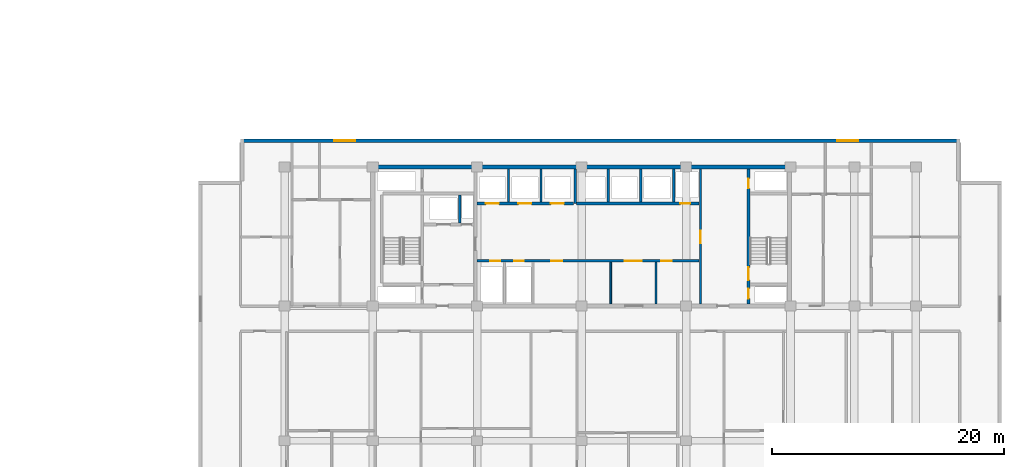
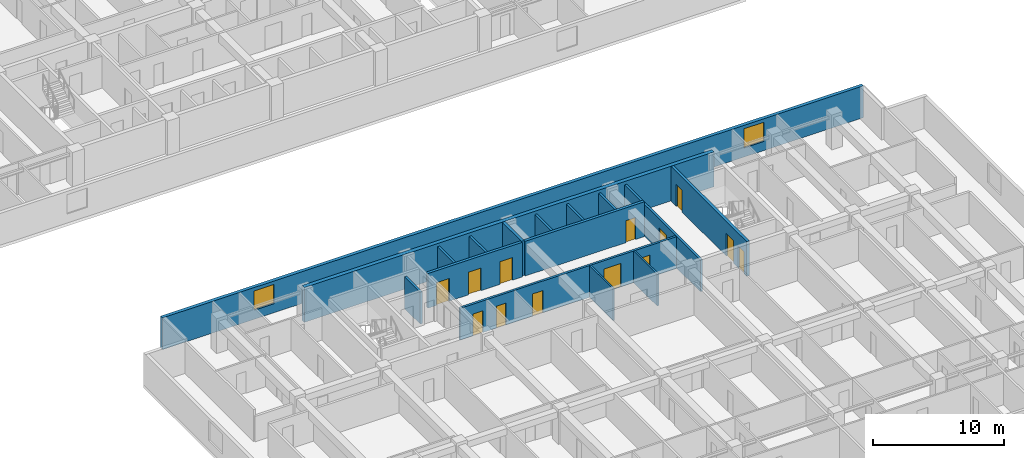
# One storey, part 7 of 24: 16 walls, 13 doors, 2 windows, 15 openings.
"""IFC4 building model written with IfcOpenShell, lengths in metres."""

import ifcopenshell
import ifcopenshell.guid

model = None  # the IFC model being written
_history = None  # IfcOwnerHistory: only IFC2X3 demands one
_inside = {}  # id of a spatial element -> (the spatial element, [elements in it])
_under = {}  # id of a project, library or spatial element -> (it, [spatial elements below it])
_declared = {}  # id of a project -> (the project, [libraries it declares])
_typed = {}  # id of a type object -> (the type object, [elements of that type])
_made_of = {}  # id of a material, layer set ... -> (it, [elements and type objects made of it])


def new_model(schema):
    """Start an empty IFC model of exactly this schema.

    Asked for "IFC4X3", IfcOpenShell would pick the latest addendum, in which some entities
    have other attributes; the version numbers below select the first issue.
    IFC2X3 requires an IfcOwnerHistory on every rooted entity: one is made here for all.
    """
    global model, _history
    if schema == "IFC4X3":
        model = ifcopenshell.file(schema_version=(4, 3, 0, 0))
    else:
        model = ifcopenshell.file(schema=schema)
    _inside.clear()
    _under.clear()
    _declared.clear()
    _typed.clear()
    _made_of.clear()
    _history = None
    if model.schema == "IFC2X3":
        org = make("IfcOrganization", Name="unknown")
        user = make(
            "IfcPersonAndOrganization",
            ThePerson=make("IfcPerson", FamilyName="unknown"),
            TheOrganization=org,
        )
        app = make(
            "IfcApplication",
            ApplicationDeveloper=org,
            Version="unknown",
            ApplicationFullName="unknown",
            ApplicationIdentifier="unknown",
        )
        _history = make(
            "IfcOwnerHistory",
            OwningUser=user,
            OwningApplication=app,
            ChangeAction="ADDED",
            CreationDate=0,
        )
    return model


def make(cls, **values):
    """One entity of the class cls with the attributes given. An attribute that is None is left unset."""
    return model.create_entity(
        cls, **{name: value for name, value in values.items() if value is not None}
    )


def rooted(cls, **values):
    """An entity with a GlobalId (a new one), such as an element, a storey or a relation."""
    return make(cls, GlobalId=ifcopenshell.guid.new(), OwnerHistory=_history, **values)


def si_unit(unit_type, name, prefix=None):
    """IfcSIUnit, for example si_unit("LENGTHUNIT", "METRE", prefix="MILLI")."""
    return make("IfcSIUnit", UnitType=unit_type, Prefix=prefix, Name=name)


def assignment(units):
    """IfcUnitAssignment: the units of a project."""
    return None if units is None else make("IfcUnitAssignment", Units=units)


def point(xyz):
    """IfcCartesianPoint."""
    return None if xyz is None else make("IfcCartesianPoint", Coordinates=xyz)


def direction(xyz):
    """IfcDirection."""
    return None if xyz is None else make("IfcDirection", DirectionRatios=xyz)


def frame(location, z_axis=None, x_axis=None):
    """IfcAxis2Placement3D, a coordinate frame: its origin and axes. An axis left out is left unset."""
    return make(
        "IfcAxis2Placement3D",
        Location=point(location),
        Axis=direction(z_axis),
        RefDirection=direction(x_axis),
    )


def frame_2d(location, x_axis=None):
    """IfcAxis2Placement2D, a coordinate frame in the plane: its origin and x axis."""
    return make(
        "IfcAxis2Placement2D", Location=point(location), RefDirection=direction(x_axis)
    )


def origin():
    """The frame at (0, 0, 0) with its axes left unset."""
    return frame((0.0, 0.0, 0.0))


def place(relative_to, where):
    """IfcLocalPlacement: puts the frame where relative to a parent placement (None: the world)."""
    return make(
        "IfcLocalPlacement", PlacementRelTo=relative_to, RelativePlacement=where
    )


def context(
    kind, dimensions, precision=None, world=None, true_north=None, identifier=None
):
    """IfcGeometricRepresentationContext, for example the 3D "Model" context."""
    return make(
        "IfcGeometricRepresentationContext",
        ContextIdentifier=identifier,
        ContextType=kind,
        CoordinateSpaceDimension=dimensions,
        Precision=precision,
        WorldCoordinateSystem=world,
        TrueNorth=true_north,
    )


def subcontext(parent, identifier, kind, view, scale=None):
    """IfcGeometricRepresentationSubContext, for example "Body" below "Model"."""
    return make(
        "IfcGeometricRepresentationSubContext",
        ContextIdentifier=identifier,
        ContextType=kind,
        ParentContext=parent,
        TargetScale=scale,
        TargetView=view,
    )


def project(units=None, contexts=None):
    """IfcProject with its units and contexts."""
    return rooted(
        "IfcProject",
        Name="project",
        RepresentationContexts=contexts,
        UnitsInContext=assignment(units),
    )


def spatial(cls, under=None, at=None, **own):
    """A site, building, storey or space (cls), placed at a placement, below another one or the project."""
    s = rooted(cls, ObjectPlacement=at, **own)
    if under is not None:
        _under.setdefault(under.id(), (under, []))[1].append(s)
    return s


def profile(cls, at=None, kind="AREA", **sizes):
    """A parametric profile (cls). Its sizes go by their IFC names, for example OverallWidth=200.0."""
    return make(cls, ProfileType=kind, Position=at, **sizes)


def rectangle(**sizes):
    """IfcRectangleProfileDef."""
    return profile("IfcRectangleProfileDef", **sizes)


def extrude(swept, where, along, depth):
    """IfcExtrudedAreaSolid: the profile swept, set in the frame where, extruded along a direction by depth."""
    return make(
        "IfcExtrudedAreaSolid",
        SweptArea=swept,
        Position=where,
        ExtrudedDirection=direction(along),
        Depth=depth,
    )


def shape(context_of_items, identifier, shape_type, items):
    """IfcShapeRepresentation: the items that make up one representation, for example the "Body"."""
    return make(
        "IfcShapeRepresentation",
        ContextOfItems=context_of_items,
        RepresentationIdentifier=identifier,
        RepresentationType=shape_type,
        Items=items,
    )


def material(Name=None, Category=None):
    """IfcMaterial."""
    return make("IfcMaterial", Name=Name, Category=Category)


def layer(
    of_material, thickness, ventilated=None, Name=None, Category=None, Priority=None
):
    """IfcMaterialLayer: one layer of a wall or slab, of a material (None: an air gap)."""
    return make(
        "IfcMaterialLayer",
        Material=of_material,
        LayerThickness=thickness,
        IsVentilated=ventilated,
        Name=Name,
        Category=Category,
        Priority=Priority,
    )


def layer_set(layers, Name=None):
    """IfcMaterialLayerSet."""
    return make("IfcMaterialLayerSet", MaterialLayers=layers, LayerSetName=Name)


def made_of(thing, what):
    """Note that an element or type object is made of a material, layer set ...; save() writes the relation."""
    if what is not None:
        _made_of.setdefault(what.id(), (what, []))[1].append(thing)
    return thing


def type_object(cls, material=None, **own):
    """A type object (cls), such as IfcWallType, which elements share."""
    return made_of(rooted(cls, **own), material)


def element(
    cls,
    number,
    at=None,
    inside=None,
    cuts=None,
    type_object=None,
    material=None,
    context=None,
    identifier="Body",
    shape_type=None,
    held_by="IfcProductDefinitionShape",
    body=None,
    shapes=None,
    **own,
):
    """One element of the class cls, such as IfcWall. Its Tag is "e" and its number.

    at: its placement. inside: the storey or other place that contains it. cuts: it is an
    opening in that element (IfcRelVoidsElement). A single representation is given by context,
    identifier, shape_type and body (its items); several are given by shapes. held_by: the class
    of the entity that holds the representations. save() writes the other relations.
    """
    e = rooted(cls, Tag="e%d" % number, ObjectPlacement=at, **own)
    if body is not None:
        shapes = [shape(context, identifier, shape_type, body)]
    if shapes is not None:
        e.Representation = make(held_by, Representations=shapes)
    if inside is not None:
        _inside.setdefault(inside.id(), (inside, []))[1].append(e)
    if cuts is not None:
        rooted(
            "IfcRelVoidsElement", RelatingBuildingElement=cuts, RelatedOpeningElement=e
        )
    if type_object is not None:
        _typed.setdefault(type_object.id(), (type_object, []))[1].append(e)
    return made_of(e, material)


def fill(opening, filler):
    """IfcRelFillsElement: the door or window that sits in an opening."""
    return rooted(
        "IfcRelFillsElement",
        RelatingOpeningElement=opening,
        RelatedBuildingElement=filler,
    )


def aggregate(whole, parts):
    """IfcRelAggregates: a whole, such as a stair, and the parts it consists of."""
    return rooted("IfcRelAggregates", RelatingObject=whole, RelatedObjects=parts)


def save(model, path):
    """Write the relations noted so far, then the file.

    IfcRelAggregates (storeys below a building ...), IfcRelContainedInSpatialStructure (elements
    in a storey), IfcRelDefinesByType, IfcRelAssociatesMaterial and IfcRelDeclares: one each for
    every whole, place, type object, material and project.
    """
    for whole, parts in _under.values():
        aggregate(whole, parts)
    for where, things in _inside.values():
        rooted(
            "IfcRelContainedInSpatialStructure",
            RelatedElements=things,
            RelatingStructure=where,
        )
    for kind, things in _typed.values():
        rooted("IfcRelDefinesByType", RelatedObjects=things, RelatingType=kind)
    for what, things in _made_of.values():
        rooted("IfcRelAssociatesMaterial", RelatedObjects=things, RelatingMaterial=what)
    for by, libraries in _declared.values():
        rooted("IfcRelDeclares", RelatingContext=by, RelatedDefinitions=libraries)
    model.write(path)


model = new_model("IFC4")

# Units and contexts
model_context = context("Model", 3, precision=1e-05, world=origin(), true_north=direction((0.0, 1.0)))
body_context = subcontext(model_context, "Body", "Model", "MODEL_VIEW")
ifc_project = project(units=[si_unit("LENGTHUNIT", "METRE"), si_unit("AREAUNIT", "SQUARE_METRE"), si_unit("VOLUMEUNIT", "CUBIC_METRE"), si_unit("PLANEANGLEUNIT", "RADIAN"), si_unit("MASSUNIT", "GRAM", prefix="KILO")], contexts=[model_context])

# Site, building, storey
site_placement = place(None, origin())
site = spatial("IfcSite", under=ifc_project, at=site_placement, CompositionType="ELEMENT")
building_placement = place(site_placement, origin())
building = spatial("IfcBuilding", under=site, at=building_placement, Name="Korimba Cascade Residences", CompositionType="ELEMENT")
storey_placement = place(building_placement, frame((0.0, 0.0, 63.0)))
storey = spatial("IfcBuildingStorey", under=building, at=storey_placement, Name="L17", CompositionType="ELEMENT", Elevation=63.0)

# Wall, openings, windows
ifc_material_1 = material(Name="Precast concrete C40/50", Category="concrete")
ifc_layer_1 = layer(ifc_material_1, 0.300048828125)
ifc_layer_set_1 = layer_set([ifc_layer_1], Name="Precast concrete C40/50")
wall_type_1 = type_object("IfcWallType", Name="EW-STONE-300", PredefinedType="STANDARD", material=ifc_layer_set_1)
wall_1_placement = place(storey_placement, frame((132.699951171875, 32.64990234375, 0.0), z_axis=(0.0, 0.0, 1.0), x_axis=(-1.0, 0.0, 0.0)))
wall_1 = element("IfcWall", 1, at=wall_1_placement, inside=storey, type_object=wall_type_1, Name="L17 T2 Perimeter Stone Wall E06", PredefinedType="STANDARD", context=body_context, shape_type="SweptSolid", body=[
    extrude(rectangle(XDim=62.0, YDim=0.300048828125, at=frame_2d((31.0, 0.0))), origin(), (0.0, 0.0, 1.0), 2.969970703125),
])
opening_1_placement = place(wall_1_placement, frame((52.125, 0.0, 0.85009765625)))
opening_1 = element("IfcOpeningElement", 2, at=opening_1_placement, cuts=wall_1, Name="Opening W-02", PredefinedType="OPENING", context=body_context, shape_type="SweptSolid", body=[
    extrude(rectangle(XDim=1.800048828125, YDim=1.800048828125, at=frame_2d((0.89990234375, 0.89990234375))), frame((0.0, 0.16015625, 0.0), z_axis=(0.0, -1.0, 0.0), x_axis=(1.0, 0.0, 0.0)), (0.0, 0.0, 1.0), 0.320068359375),
])
opening_2_placement = place(wall_1_placement, frame((8.77490234375, 0.0, 0.85009765625)))
opening_2 = element("IfcOpeningElement", 3, at=opening_2_placement, cuts=wall_1, Name="Opening W-02", PredefinedType="OPENING", context=body_context, shape_type="SweptSolid", body=[
    extrude(rectangle(XDim=1.800048828125, YDim=1.800048828125, at=frame_2d((0.89990234375, 0.89990234375))), frame((0.0, 0.16015625, 0.0), z_axis=(0.0, -1.0, 0.0), x_axis=(1.0, 0.0, 0.0)), (0.0, 0.0, 1.0), 0.320068359375),
])
ifc_material_2 = material(Name="Double-Glazed Aluminium Window", Category="aluminium")
window_type = type_object("IfcWindowType", Name="WIN-BED-1800", PartitioningType="SINGLE_PANEL", PredefinedType="WINDOW", material=ifc_material_2)
window_1_placement = place(opening_1_placement, origin())
window_1 = element("IfcWindow", 4, at=window_1_placement, inside=storey, type_object=window_type, Name="L17 T2 North Corner Bedroom Window 1", OverallHeight=1.800048828125, OverallWidth=1.800048828125, PartitioningType="SINGLE_PANEL", PredefinedType="WINDOW", context=body_context, shape_type="SweptSolid", body=[
    extrude(rectangle(XDim=1.800048828125, YDim=1.800048828125, at=frame_2d((0.89990234375, 0.89990234375))), frame((0.0, 0.030029296875, 0.0), z_axis=(0.0, -1.0, 0.0), x_axis=(1.0, 0.0, 0.0)), (0.0, 0.0, 1.0), 0.06005859375),
])
fill(opening_1, window_1)
window_2_placement = place(opening_2_placement, origin())
window_2 = element("IfcWindow", 5, at=window_2_placement, inside=storey, type_object=window_type, Name="L17 T2 North Corner Bedroom Window 2", OverallHeight=1.800048828125, OverallWidth=1.800048828125, PartitioningType="SINGLE_PANEL", PredefinedType="WINDOW", context=body_context, shape_type="SweptSolid", body=[
    extrude(rectangle(XDim=1.800048828125, YDim=1.800048828125, at=frame_2d((0.89990234375, 0.89990234375))), frame((0.0, 0.030029296875, 0.0), z_axis=(0.0, -1.0, 0.0), x_axis=(1.0, 0.0, 0.0)), (0.0, 0.0, 1.0), 0.06005859375),
])
fill(opening_2, window_2)

# Walls
ifc_material_3 = material(Name="Concrete C65/80", Category="concrete")
ifc_layer_2 = layer(ifc_material_3, 0.35009765625)
ifc_layer_set_2 = layer_set([ifc_layer_2], Name="Concrete C65/80")
wall_type_2 = type_object("IfcWallType", Name="WAL-CORE-350", PredefinedType="SHEAR", material=ifc_layer_set_2)
wall_2_placement = place(storey_placement, frame((81.925048828125, 30.39990234375, 0.0), z_axis=(0.0, 0.0, 1.0), x_axis=(1.0, 0.0, 0.0)))
element("IfcWall", 6, at=wall_2_placement, inside=storey, type_object=wall_type_2, Name="L17 Core Shear Wall CW-L17-T2-N", PredefinedType="SHEAR", context=body_context, shape_type="SweptSolid", body=[
    extrude(rectangle(XDim=36.264892578125, YDim=0.35009765625, at=frame_2d((18.13232421875, 0.0))), origin(), (0.0, 0.0, 1.0), 3.25),
])
ifc_material_4 = material(Name="Insulated Acoustic Stud Partition", Category="gypsum")
ifc_layer_3 = layer(ifc_material_4, 0.14990234375)
ifc_layer_set_3 = layer_set([ifc_layer_3], Name="Insulated Acoustic Stud Partition")
wall_type_3 = type_object("IfcWallType", Name="WAL-PART-150", PredefinedType="PARTITIONING", material=ifc_layer_set_3)
for number, where, z_axis, x_axis, name in (
    (7, (102.60009765625, 18.60009765625, 0.0), (0.0, 0.0, 1.0), (0.0, 1.0, 0.0), "L17 Partition Wall CW-L17-T2-THW"),
    (8, (106.5, 18.60009765625, 0.0), (0.0, 0.0, 1.0), (0.0, 1.0, 0.0), "L17 Partition Wall CW-L17-T2-THE"),
):
    element("IfcWall", number, at=place(storey_placement, frame(where, z_axis=z_axis, x_axis=x_axis)), inside=storey, type_object=wall_type_3, Name=name, PredefinedType="PARTITIONING", context=body_context, shape_type="SweptSolid", body=[
        extrude(rectangle(XDim=3.599853515625, YDim=0.14990234375, at=frame_2d((1.7998046875, 0.0))), origin(), (0.0, 0.0, 1.0), 2.969970703125),
    ])
ifc_material_5 = material(Name="Concrete C40/50", Category="concrete")
ifc_layer_4 = layer(ifc_material_5, 0.199951171875)
ifc_layer_set_4 = layer_set([ifc_layer_4], Name="Concrete C40/50")
wall_type_4 = type_object("IfcWallType", Name="WAL-PART-200", PredefinedType="PARTITIONING", material=ifc_layer_set_4)
wall_3_placement = place(storey_placement, frame((89.60009765625, 25.580078125, 0.0), z_axis=(0.0, 0.0, 1.0), x_axis=(0.0, 1.0, 0.0)))
element("IfcWall", 9, at=wall_3_placement, inside=storey, type_object=wall_type_4, Name="L17 Partition Wall CW-L17-T2-FFLDIV", PredefinedType="PARTITIONING", context=body_context, shape_type="SweptSolid", body=[
    extrude(rectangle(XDim=2.419921875, YDim=0.199951171875, at=frame_2d((1.2099609375, 0.0))), origin(), (0.0, 0.0, 1.0), 2.969970703125),
])
for number, where, z_axis, x_axis, name in (
    (10, (93.800048828125, 27.3798828125, 0.0), (0.0, 0.0, 1.0), (0.0, 1.0, 0.0), "L17 Partition Wall CW-L17-T2-B1D1"),
    (11, (96.60009765625, 27.3798828125, 0.0), (0.0, 0.0, 1.0), (0.0, 1.0, 0.0), "L17 Partition Wall CW-L17-T2-B1D2"),
    (12, (102.39990234375, 27.3798828125, 0.0), (0.0, 0.0, 1.0), (0.0, 1.0, 0.0), "L17 Partition Wall CW-L17-T2-B2D1"),
    (13, (105.199951171875, 27.3798828125, 0.0), (0.0, 0.0, 1.0), (0.0, 1.0, 0.0), "L17 Partition Wall CW-L17-T2-B2D2"),
    (14, (108.050048828125, 27.3798828125, 0.0), (0.0, 0.0, 1.0), (0.0, 1.0, 0.0), "L17 Partition Wall CW-L17-T2-B2D3"),
):
    element("IfcWall", number, at=place(storey_placement, frame(where, z_axis=z_axis, x_axis=x_axis)), inside=storey, type_object=wall_type_4, Name=name, PredefinedType="PARTITIONING", context=body_context, shape_type="SweptSolid", body=[
        extrude(rectangle(XDim=2.820068359375, YDim=0.199951171875, at=frame_2d((1.41015625, 0.0))), origin(), (0.0, 0.0, 1.0), 2.969970703125),
    ])

# Wall, openings, doors
wall_4_placement = place(storey_placement, frame((91.080078125, 22.300048828125, 0.0), z_axis=(0.0, 0.0, 1.0), x_axis=(1.0, 0.0, 0.0)))
wall_4 = element("IfcWall", 15, at=wall_4_placement, inside=storey, type_object=wall_type_4, Name="L17 Partition Wall CW-L17-T2-SRVROW", PredefinedType="PARTITIONING", context=body_context, shape_type="SweptSolid", body=[
    extrude(rectangle(XDim=19.139892578125, YDim=0.199951171875, at=frame_2d((9.56982421875, 0.0))), origin(), (0.0, 0.0, 1.0), 2.969970703125),
])
opening_3_placement = place(wall_4_placement, frame((1.14990234375, 0.0, 0.0)))
opening_3 = element("IfcOpeningElement", 16, at=opening_3_placement, cuts=wall_4, Name="Opening D-RS1", PredefinedType="OPENING", context=body_context, shape_type="SweptSolid", body=[
    extrude(rectangle(XDim=0.85009765625, YDim=2.050048828125, at=frame_2d((0.425048828125, 1.02490234375))), frame((0.0, 0.10986328125, 0.0), z_axis=(0.0, -1.0, 0.0), x_axis=(1.0, 0.0, 0.0)), (0.0, 0.0, 1.0), 0.219970703125),
])
opening_4_placement = place(wall_4_placement, frame((3.199951171875, 0.0, 0.0)))
opening_4 = element("IfcOpeningElement", 17, at=opening_4_placement, cuts=wall_4, Name="Opening D-RS1", PredefinedType="OPENING", context=body_context, shape_type="SweptSolid", body=[
    extrude(rectangle(XDim=0.85009765625, YDim=2.050048828125, at=frame_2d((0.425048828125, 1.02490234375))), frame((0.0, 0.10986328125, 0.0), z_axis=(0.0, -1.0, 0.0), x_axis=(1.0, 0.0, 0.0)), (0.0, 0.0, 1.0), 0.219970703125),
])
opening_5_placement = place(wall_4_placement, frame((12.719970703125, 0.0, 0.0)))
opening_5 = element("IfcOpeningElement", 18, at=opening_5_placement, cuts=wall_4, Name="Opening D-FD8", PredefinedType="OPENING", context=body_context, shape_type="SweptSolid", body=[
    extrude(rectangle(XDim=1.5, YDim=2.199951171875, at=frame_2d((0.75, 1.10009765625))), frame((0.0, 0.10986328125, 0.0), z_axis=(0.0, -1.0, 0.0), x_axis=(1.0, 0.0, 0.0)), (0.0, 0.0, 1.0), 0.219970703125),
])
opening_6_placement = place(wall_4_placement, frame((6.419921875, 0.0, 0.0)))
opening_6 = element("IfcOpeningElement", 19, at=opening_6_placement, cuts=wall_4, Name="Opening D-IN1", PredefinedType="OPENING", context=body_context, shape_type="SweptSolid", body=[
    extrude(rectangle(XDim=0.919921875, YDim=2.080078125, at=frame_2d((0.4599609375, 1.0400390625))), frame((0.0, 0.10986328125, 0.0), z_axis=(0.0, -1.0, 0.0), x_axis=(1.0, 0.0, 0.0)), (0.0, 0.0, 1.0), 0.219970703125),
])
opening_7_placement = place(wall_4_placement, frame((15.8701171875, 0.0, 0.0)))
opening_7 = element("IfcOpeningElement", 20, at=opening_7_placement, cuts=wall_4, Name="Opening D-IN1", PredefinedType="OPENING", context=body_context, shape_type="SweptSolid", body=[
    extrude(rectangle(XDim=0.919921875, YDim=2.080078125, at=frame_2d((0.4599609375, 1.0400390625))), frame((0.0, 0.10986328125, 0.0), z_axis=(0.0, -1.0, 0.0), x_axis=(1.0, 0.0, 0.0)), (0.0, 0.0, 1.0), 0.219970703125),
])
ifc_material_6 = material(Name="Fire-Rated Steel Riser Access Door", Category="steel")
door_type_1 = type_object("IfcDoorType", Name="DR-FD60-850", OperationType="NOTDEFINED", PredefinedType="DOOR", material=ifc_material_6)
door_1_placement = place(opening_3_placement, origin())
door_1 = element("IfcDoor", 21, at=door_1_placement, inside=storey, type_object=door_type_1, Name="L17 T2 Electrical Riser Door", OperationType="SINGLE_SWING_RIGHT", OverallHeight=2.050048828125, OverallWidth=0.85009765625, PredefinedType="DOOR", context=body_context, shape_type="SweptSolid", body=[
    extrude(rectangle(XDim=0.85009765625, YDim=2.050048828125, at=frame_2d((0.425048828125, 1.02490234375))), frame((0.0, 0.02490234375, 0.0), z_axis=(0.0, -1.0, 0.0), x_axis=(1.0, 0.0, 0.0)), (0.0, 0.0, 1.0), 0.050048828125),
])
fill(opening_3, door_1)
door_2_placement = place(opening_4_placement, origin())
door_2 = element("IfcDoor", 22, at=door_2_placement, inside=storey, type_object=door_type_1, Name="L17 T2 Plumbing Riser Door", OperationType="SINGLE_SWING_LEFT", OverallHeight=2.050048828125, OverallWidth=0.85009765625, PredefinedType="DOOR", context=body_context, shape_type="SweptSolid", body=[
    extrude(rectangle(XDim=0.85009765625, YDim=2.050048828125, at=frame_2d((0.425048828125, 1.02490234375))), frame((0.0, 0.02490234375, 0.0), z_axis=(0.0, -1.0, 0.0), x_axis=(1.0, 0.0, 0.0)), (0.0, 0.0, 1.0), 0.050048828125),
])
fill(opening_4, door_2)
ifc_material_7 = material(Name="Fire-Rated Glazed Lift Lobby Double Door", Category="glass")
door_type_2 = type_object("IfcDoorType", Name="DR-FD90-1500", OperationType="NOTDEFINED", PredefinedType="DOOR", material=ifc_material_7)
door_3_placement = place(opening_5_placement, origin())
door_3 = element("IfcDoor", 23, at=door_3_placement, inside=storey, type_object=door_type_2, Name="L17 T2 Lift Lobby Foyer Door", OperationType="DOUBLE_DOOR_SINGLE_SWING", OverallHeight=2.199951171875, OverallWidth=1.5, PredefinedType="DOOR", context=body_context, shape_type="SweptSolid", body=[
    extrude(rectangle(XDim=1.5, YDim=2.199951171875, at=frame_2d((0.75, 1.10009765625))), frame((0.0, 0.02490234375, 0.0), z_axis=(0.0, -1.0, 0.0), x_axis=(1.0, 0.0, 0.0)), (0.0, 0.0, 1.0), 0.050048828125),
])
fill(opening_5, door_3)
ifc_material_8 = material(Name="Acoustic Timber Living Door", Category="wood")
door_type_3 = type_object("IfcDoorType", Name="DR-INT-920", OperationType="NOTDEFINED", PredefinedType="DOOR", material=ifc_material_8)
door_4_placement = place(opening_6_placement, origin())
door_4 = element("IfcDoor", 24, at=door_4_placement, inside=storey, type_object=door_type_3, Name="L17 T2 Housekeeping Door", OperationType="SINGLE_SWING_RIGHT", OverallHeight=2.080078125, OverallWidth=0.919921875, PredefinedType="DOOR", context=body_context, shape_type="SweptSolid", body=[
    extrude(rectangle(XDim=0.919921875, YDim=2.080078125, at=frame_2d((0.4599609375, 1.0400390625))), frame((0.0, 0.02490234375, 0.0), z_axis=(0.0, -1.0, 0.0), x_axis=(1.0, 0.0, 0.0)), (0.0, 0.0, 1.0), 0.050048828125),
])
fill(opening_6, door_4)
door_5_placement = place(opening_7_placement, origin())
door_5 = element("IfcDoor", 25, at=door_5_placement, inside=storey, type_object=door_type_3, Name="L17 T2 Store Door", OperationType="SINGLE_SWING_LEFT", OverallHeight=2.080078125, OverallWidth=0.919921875, PredefinedType="DOOR", context=body_context, shape_type="SweptSolid", body=[
    extrude(rectangle(XDim=0.919921875, YDim=2.080078125, at=frame_2d((0.4599609375, 1.0400390625))), frame((0.0, 0.02490234375, 0.0), z_axis=(0.0, -1.0, 0.0), x_axis=(1.0, 0.0, 0.0)), (0.0, 0.0, 1.0), 0.050048828125),
])
fill(opening_7, door_5)

# Wall, opening, door
wall_5_placement = place(storey_placement, frame((110.35009765625, 18.60009765625, 0.0), z_axis=(0.0, 0.0, 1.0), x_axis=(0.0, 1.0, 0.0)))
wall_5 = element("IfcWall", 26, at=wall_5_placement, inside=storey, type_object=wall_type_4, Name="L17 Partition Wall CW-L17-T2-LLEV", PredefinedType="PARTITIONING", context=body_context, shape_type="SweptSolid", body=[
    extrude(rectangle(XDim=11.599853515625, YDim=0.199951171875, at=frame_2d((5.7998046875, 0.0))), origin(), (0.0, 0.0, 1.0), 2.969970703125),
])
opening_8_placement = place(wall_5_placement, frame((5.199951171875, 0.0, 0.0)))
opening_8 = element("IfcOpeningElement", 27, at=opening_8_placement, cuts=wall_5, Name="Opening D-FD6", PredefinedType="OPENING", context=body_context, shape_type="SweptSolid", body=[
    extrude(rectangle(XDim=1.10009765625, YDim=2.14990234375, at=frame_2d((0.550048828125, 1.074951171875))), frame((0.0, 0.10986328125, 0.0), z_axis=(0.0, -1.0, 0.0), x_axis=(1.0, 0.0, 0.0)), (0.0, 0.0, 1.0), 0.219970703125),
])
ifc_material_9 = material(Name="Fire-Rated Timber Stair Lobby Door", Category="wood")
door_type_4 = type_object("IfcDoorType", Name="DR-FD90-1100", OperationType="NOTDEFINED", PredefinedType="DOOR", material=ifc_material_9)
door_6_placement = place(opening_8_placement, origin())
door_6 = element("IfcDoor", 28, at=door_6_placement, inside=storey, type_object=door_type_4, Name="L17 T2 Lift Lobby to East Stair Lobby Door", OperationType="SINGLE_SWING_RIGHT", OverallHeight=2.14990234375, OverallWidth=1.10009765625, PredefinedType="DOOR", context=body_context, shape_type="SweptSolid", body=[
    extrude(rectangle(XDim=1.10009765625, YDim=2.14990234375, at=frame_2d((0.550048828125, 1.074951171875))), frame((0.0, 0.02490234375, 0.0), z_axis=(0.0, -1.0, 0.0), x_axis=(1.0, 0.0, 0.0)), (0.0, 0.0, 1.0), 0.050048828125),
])
fill(opening_8, door_6)

# Wall, openings, doors
ifc_material_10 = material(Name="Concrete C50/60", Category="concrete")
ifc_layer_5 = layer(ifc_material_10, 0.25)
ifc_layer_set_5 = layer_set([ifc_layer_5], Name="Concrete C50/60")
wall_type_5 = type_object("IfcWallType", Name="WAL-SHAFT-250", PredefinedType="SHEAR", material=ifc_layer_set_5)
wall_6_placement = place(storey_placement, frame((91.080078125, 27.25, 0.0), z_axis=(0.0, 0.0, 1.0), x_axis=(1.0, 0.0, 0.0)))
wall_6 = element("IfcWall", 29, at=wall_6_placement, inside=storey, type_object=wall_type_5, Name="L17 Core Shear Wall CW-L17-T2-B1S", PredefinedType="SHEAR", context=body_context, shape_type="SweptSolid", body=[
    extrude(rectangle(XDim=8.33984375, YDim=0.25, at=frame_2d((4.169921875, 0.0))), origin(), (0.0, 0.0, 1.0), 3.25),
])
opening_9_placement = place(wall_6_placement, frame((0.760009765625, 0.0, 0.0)))
opening_9 = element("IfcOpeningElement", 30, at=opening_9_placement, cuts=wall_6, Name="Opening LD-01", PredefinedType="OPENING", context=body_context, shape_type="SweptSolid", body=[
    extrude(rectangle(XDim=1.1201171875, YDim=2.1201171875, at=frame_2d((0.56005859375, 1.06005859375))), frame((0.0, 0.135009765625, 0.0), z_axis=(0.0, -1.0, 0.0), x_axis=(1.0, 0.0, 0.0)), (0.0, 0.0, 1.0), 0.27001953125),
])
opening_10_placement = place(wall_6_placement, frame((3.56005859375, 0.0, 0.0)))
opening_10 = element("IfcOpeningElement", 31, at=opening_10_placement, cuts=wall_6, Name="Opening LD-01", PredefinedType="OPENING", context=body_context, shape_type="SweptSolid", body=[
    extrude(rectangle(XDim=1.1201171875, YDim=2.1201171875, at=frame_2d((0.56005859375, 1.06005859375))), frame((0.0, 0.135009765625, 0.0), z_axis=(0.0, -1.0, 0.0), x_axis=(1.0, 0.0, 0.0)), (0.0, 0.0, 1.0), 0.27001953125),
])
opening_11_placement = place(wall_6_placement, frame((6.360107421875, 0.0, 0.0)))
opening_11 = element("IfcOpeningElement", 32, at=opening_11_placement, cuts=wall_6, Name="Opening LD-01", PredefinedType="OPENING", context=body_context, shape_type="SweptSolid", body=[
    extrude(rectangle(XDim=1.1201171875, YDim=2.1201171875, at=frame_2d((0.56005859375, 1.06005859375))), frame((0.0, 0.135009765625, 0.0), z_axis=(0.0, -1.0, 0.0), x_axis=(1.0, 0.0, 0.0)), (0.0, 0.0, 1.0), 0.27001953125),
])
ifc_material_11 = material(Name="Stainless Steel Lift Landing Sliding Door", Category="steel")
door_type_5 = type_object("IfcDoorType", Name="DR-LIFT-1100", OperationType="NOTDEFINED", PredefinedType="DOOR", material=ifc_material_11)
door_7_placement = place(opening_9_placement, origin())
door_7 = element("IfcDoor", 33, at=door_7_placement, inside=storey, type_object=door_type_5, Name="L17 Lift Landing Door PL-E1", OperationType="SLIDING_TO_LEFT", OverallHeight=2.1201171875, OverallWidth=1.1201171875, PredefinedType="DOOR", context=body_context, shape_type="SweptSolid", body=[
    extrude(rectangle(XDim=1.1201171875, YDim=2.1201171875, at=frame_2d((0.56005859375, 1.06005859375))), frame((0.0, 0.02490234375, 0.0), z_axis=(0.0, -1.0, 0.0), x_axis=(1.0, 0.0, 0.0)), (0.0, 0.0, 1.0), 0.050048828125),
])
fill(opening_9, door_7)
door_8_placement = place(opening_10_placement, origin())
door_8 = element("IfcDoor", 34, at=door_8_placement, inside=storey, type_object=door_type_5, Name="L17 Lift Landing Door PL-E2", OperationType="SLIDING_TO_LEFT", OverallHeight=2.1201171875, OverallWidth=1.1201171875, PredefinedType="DOOR", context=body_context, shape_type="SweptSolid", body=[
    extrude(rectangle(XDim=1.1201171875, YDim=2.1201171875, at=frame_2d((0.56005859375, 1.06005859375))), frame((0.0, 0.02490234375, 0.0), z_axis=(0.0, -1.0, 0.0), x_axis=(1.0, 0.0, 0.0)), (0.0, 0.0, 1.0), 0.050048828125),
])
fill(opening_10, door_8)
door_9_placement = place(opening_11_placement, origin())
door_9 = element("IfcDoor", 35, at=door_9_placement, inside=storey, type_object=door_type_5, Name="L17 Lift Landing Door PL-E3", OperationType="SLIDING_TO_LEFT", OverallHeight=2.1201171875, OverallWidth=1.1201171875, PredefinedType="DOOR", context=body_context, shape_type="SweptSolid", body=[
    extrude(rectangle(XDim=1.1201171875, YDim=2.1201171875, at=frame_2d((0.56005859375, 1.06005859375))), frame((0.0, 0.02490234375, 0.0), z_axis=(0.0, -1.0, 0.0), x_axis=(1.0, 0.0, 0.0)), (0.0, 0.0, 1.0), 0.050048828125),
])
fill(opening_11, door_9)

# Wall
wall_7_placement = place(storey_placement, frame((99.550048828125, 27.25, 0.0), z_axis=(0.0, 0.0, 1.0), x_axis=(0.0, 1.0, 0.0)))
element("IfcWall", 36, at=wall_7_placement, inside=storey, type_object=wall_type_5, Name="L17 Core Shear Wall CW-L17-T2-B12DIV", PredefinedType="SHEAR", context=body_context, shape_type="SweptSolid", body=[
    extrude(rectangle(XDim=2.949951171875, YDim=0.25, at=frame_2d((1.47509765625, 0.0))), origin(), (0.0, 0.0, 1.0), 3.25),
])

# Wall, opening, door
wall_8_placement = place(storey_placement, frame((99.679931640625, 27.25, 0.0), z_axis=(0.0, 0.0, 1.0), x_axis=(1.0, 0.0, 0.0)))
wall_8 = element("IfcWall", 37, at=wall_8_placement, inside=storey, type_object=wall_type_5, Name="L17 Core Shear Wall CW-L17-T2-B2S", PredefinedType="SHEAR", context=body_context, shape_type="SweptSolid", body=[
    extrude(rectangle(XDim=10.5400390625, YDim=0.25, at=frame_2d((5.27001953125, 0.0))), origin(), (0.0, 0.0, 1.0), 3.25),
])
opening_12_placement = place(wall_8_placement, frame((8.919921875, 0.0, 0.0)))
opening_12 = element("IfcOpeningElement", 38, at=opening_12_placement, cuts=wall_8, Name="Opening D-RS1", PredefinedType="OPENING", context=body_context, shape_type="SweptSolid", body=[
    extrude(rectangle(XDim=0.85009765625, YDim=2.050048828125, at=frame_2d((0.425048828125, 1.02490234375))), frame((0.0, 0.135009765625, 0.0), z_axis=(0.0, -1.0, 0.0), x_axis=(1.0, 0.0, 0.0)), (0.0, 0.0, 1.0), 0.27001953125),
])
door_10_placement = place(opening_12_placement, origin())
door_10 = element("IfcDoor", 39, at=door_10_placement, inside=storey, type_object=door_type_1, Name="L17 T2 Duct Door", OperationType="SINGLE_SWING_LEFT", OverallHeight=2.050048828125, OverallWidth=0.85009765625, PredefinedType="DOOR", context=body_context, shape_type="SweptSolid", body=[
    extrude(rectangle(XDim=0.85009765625, YDim=2.050048828125, at=frame_2d((0.425048828125, 1.02490234375))), frame((0.0, 0.02490234375, 0.0), z_axis=(0.0, -1.0, 0.0), x_axis=(1.0, 0.0, 0.0)), (0.0, 0.0, 1.0), 0.050048828125),
])
fill(opening_12, door_10)

# Wall, openings, doors
wall_9_placement = place(storey_placement, frame((114.47509765625, 18.60009765625, 0.0), z_axis=(0.0, 0.0, 1.0), x_axis=(0.0, 1.0, 0.0)))
wall_9 = element("IfcWall", 40, at=wall_9_placement, inside=storey, type_object=wall_type_5, Name="L17 Core Shear Wall CW-L17-T2-STE2W", PredefinedType="SHEAR", context=body_context, shape_type="SweptSolid", body=[
    extrude(rectangle(XDim=11.599853515625, YDim=0.25, at=frame_2d((5.7998046875, 0.0))), origin(), (0.0, 0.0, 1.0), 3.25),
])
opening_13_placement = place(wall_9_placement, frame((0.449951171875, 0.0, 0.0)))
opening_13 = element("IfcOpeningElement", 41, at=opening_13_placement, cuts=wall_9, Name="Opening D-RS1", PredefinedType="OPENING", context=body_context, shape_type="SweptSolid", body=[
    extrude(rectangle(XDim=0.85009765625, YDim=2.050048828125, at=frame_2d((0.425048828125, 1.02490234375))), frame((0.0, 0.135009765625, 0.0), z_axis=(0.0, -1.0, 0.0), x_axis=(1.0, 0.0, 0.0)), (0.0, 0.0, 1.0), 0.27001953125),
])
opening_14_placement = place(wall_9_placement, frame((2.050048828125, 0.0, 0.0)))
opening_14 = element("IfcOpeningElement", 42, at=opening_14_placement, cuts=wall_9, Name="Opening D-FD1", PredefinedType="OPENING", context=body_context, shape_type="SweptSolid", body=[
    extrude(rectangle(XDim=1.10009765625, YDim=2.10009765625, at=frame_2d((0.550048828125, 1.050048828125))), frame((0.0, 0.135009765625, 0.0), z_axis=(0.0, -1.0, 0.0), x_axis=(1.0, 0.0, 0.0)), (0.0, 0.0, 1.0), 0.27001953125),
])
opening_15_placement = place(wall_9_placement, frame((9.949951171875, 0.0, 0.0)))
opening_15 = element("IfcOpeningElement", 43, at=opening_15_placement, cuts=wall_9, Name="Opening D-RS1", PredefinedType="OPENING", context=body_context, shape_type="SweptSolid", body=[
    extrude(rectangle(XDim=0.85009765625, YDim=2.050048828125, at=frame_2d((0.425048828125, 1.02490234375))), frame((0.0, 0.135009765625, 0.0), z_axis=(0.0, -1.0, 0.0), x_axis=(1.0, 0.0, 0.0)), (0.0, 0.0, 1.0), 0.27001953125),
])
ifc_material_12 = material(Name="Fire-Rated Steel Core Door", Category="steel")
door_type_6 = type_object("IfcDoorType", Name="DR-FD120-1100", OperationType="NOTDEFINED", PredefinedType="DOOR", material=ifc_material_12)
door_11_placement = place(opening_14_placement, origin())
door_11 = element("IfcDoor", 44, at=door_11_placement, inside=storey, type_object=door_type_6, Name="L17 Fire Stair ST-E2 Door", OperationType="SINGLE_SWING_RIGHT", OverallHeight=2.10009765625, OverallWidth=1.10009765625, PredefinedType="DOOR", context=body_context, shape_type="SweptSolid", body=[
    extrude(rectangle(XDim=1.10009765625, YDim=2.10009765625, at=frame_2d((0.550048828125, 1.050048828125))), frame((0.0, 0.02490234375, 0.0), z_axis=(0.0, -1.0, 0.0), x_axis=(1.0, 0.0, 0.0)), (0.0, 0.0, 1.0), 0.050048828125),
])
fill(opening_14, door_11)
door_12_placement = place(opening_13_placement, origin())
door_12 = element("IfcDoor", 45, at=door_12_placement, inside=storey, type_object=door_type_1, Name="L17 T2 East Hydrant Door", OperationType="SINGLE_SWING_LEFT", OverallHeight=2.050048828125, OverallWidth=0.85009765625, PredefinedType="DOOR", context=body_context, shape_type="SweptSolid", body=[
    extrude(rectangle(XDim=0.85009765625, YDim=2.050048828125, at=frame_2d((0.425048828125, 1.02490234375))), frame((0.0, 0.02490234375, 0.0), z_axis=(0.0, -1.0, 0.0), x_axis=(1.0, 0.0, 0.0)), (0.0, 0.0, 1.0), 0.050048828125),
])
fill(opening_13, door_12)
door_13_placement = place(opening_15_placement, origin())
door_13 = element("IfcDoor", 46, at=door_13_placement, inside=storey, type_object=door_type_1, Name="L17 T2 East Riser Door", OperationType="SINGLE_SWING_LEFT", OverallHeight=2.050048828125, OverallWidth=0.85009765625, PredefinedType="DOOR", context=body_context, shape_type="SweptSolid", body=[
    extrude(rectangle(XDim=0.85009765625, YDim=2.050048828125, at=frame_2d((0.425048828125, 1.02490234375))), frame((0.0, 0.02490234375, 0.0), z_axis=(0.0, -1.0, 0.0), x_axis=(1.0, 0.0, 0.0)), (0.0, 0.0, 1.0), 0.050048828125),
])
fill(opening_15, door_13)

save(model, "model.ifc")
